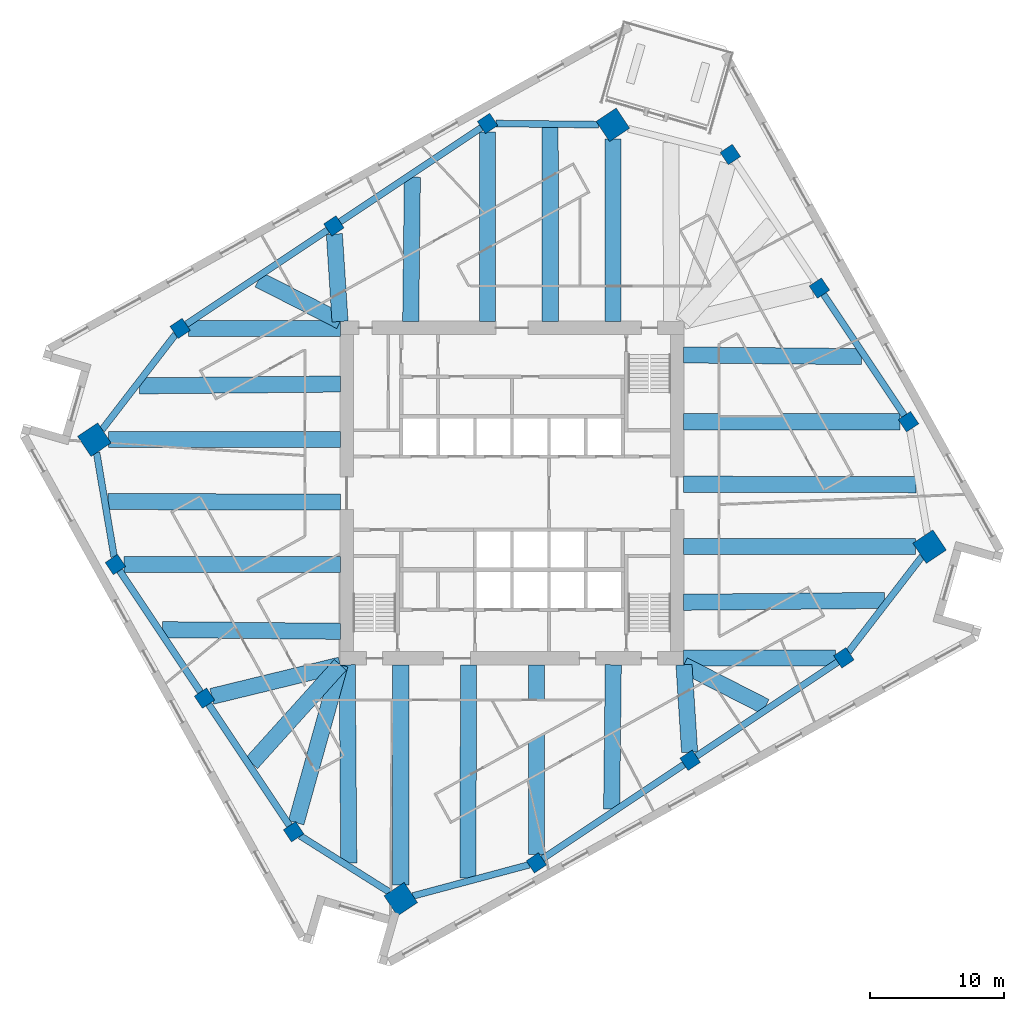
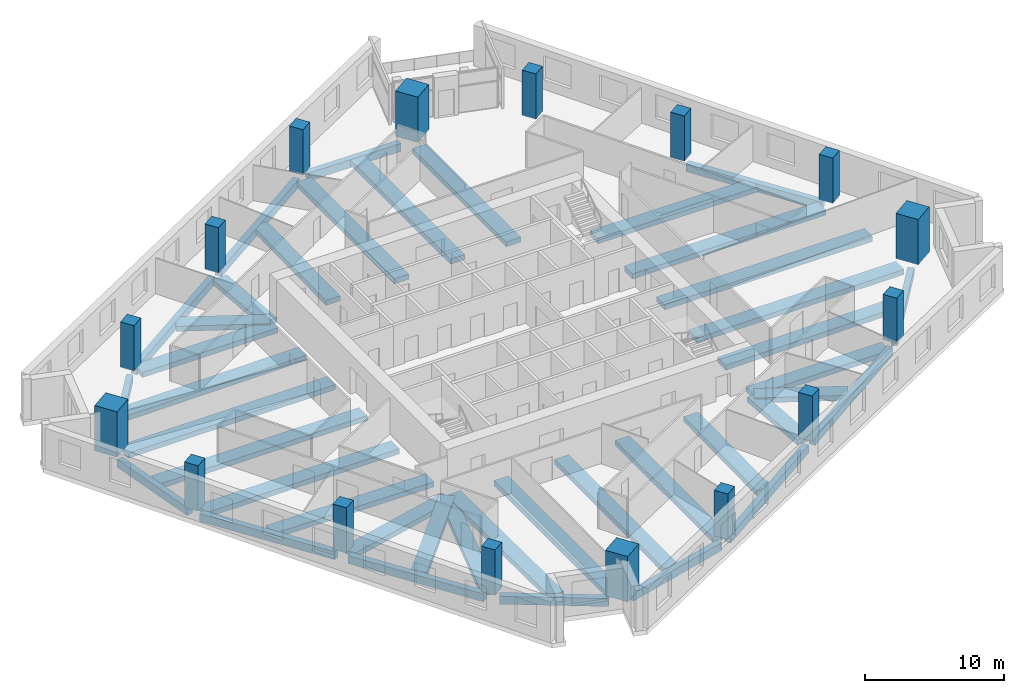
# One storey, part 1 of 12: 41 beams, 16 columns.
"""IFC4 building model written with IfcOpenShell, lengths in metres."""

from ifc_helpers import new_model, si_unit, direction, frame, origin, origin_2d, place, context, subcontext, project, spatial, rectangle, extrude, material, material_profile, profile_set, type_object, element, save


model = new_model("IFC4")

# Units and contexts
model_context = context("Model", 3, precision=1e-05, world=origin(), true_north=direction((0.0, 1.0)))
body_context = subcontext(model_context, "Body", "Model", "MODEL_VIEW")
ifc_project = project(units=[si_unit("LENGTHUNIT", "METRE"), si_unit("AREAUNIT", "SQUARE_METRE"), si_unit("VOLUMEUNIT", "CUBIC_METRE"), si_unit("PLANEANGLEUNIT", "RADIAN"), si_unit("MASSUNIT", "GRAM", prefix="KILO")], contexts=[model_context])

# Site, building, storey
site_placement = place(None, origin())
site = spatial("IfcSite", under=ifc_project, at=site_placement, CompositionType="ELEMENT")
building_placement = place(site_placement, origin())
building = spatial("IfcBuilding", under=site, at=building_placement, Name="Dilmun Exchange Tower", CompositionType="ELEMENT")
storey_placement = place(building_placement, frame((0.0, 0.0, 143.699951171875)))
storey = spatial("IfcBuildingStorey", under=building, at=storey_placement, Name="L33", CompositionType="ELEMENT", Elevation=143.699951171875)

# Columns
ifc_material_1 = material(Name="Concrete C60/75", Category="concrete")
ifc_material_profile_1 = material_profile(ifc_material_1, rectangle(XDim=1.800048828125, YDim=1.800048828125, at=origin_2d()), Name="1800 x 1800")
ifc_profile_set_1 = profile_set([ifc_material_profile_1], Name="Concrete C60/75")
column_type_1 = type_object("IfcColumnType", Name="RC mega column 1800 x 1800 C60/75", PredefinedType="COLUMN", material=ifc_profile_set_1)
for number, where, z_axis, x_axis, name in (
    (1, (7.506103515625, 27.409912109375, 0.0), (0.0, 0.0, 1.0), (0.832028680356, 0.55473261583, 0.0), "Mega column M1"),
    (2, (-31.0791015625, 3.98193359375, 0.0), (0.0, 0.0, 1.0), (0.832028680356, 0.55473261583, 0.0), "Mega column M2"),
    (3, (-8.27587890625, -30.220947265625, 0.0), (0.0, 0.0, 1.0), (0.832028680356, 0.55473261583, 0.0), "Mega column M3"),
    (4, (31.0791015625, -3.98193359375, 0.0), (0.0, 0.0, 1.0), (0.832028680356, 0.55473261583, 0.0), "Mega column M4"),
):
    element("IfcColumn", number, at=place(storey_placement, frame(where, z_axis=z_axis, x_axis=x_axis)), inside=storey, type_object=column_type_1, Name=name, PredefinedType="COLUMN", context=body_context, shape_type="SweptSolid", body=[
        extrude(rectangle(XDim=1.800048828125, YDim=1.800048828125, at=origin_2d()), origin(), (0.0, 0.0, 1.0), 4.0),
    ])
ifc_material_profile_2 = material_profile(ifc_material_1, rectangle(XDim=1.10009765625, YDim=1.10009765625, at=origin_2d()), Name="1100 x 1100")
ifc_profile_set_2 = profile_set([ifc_material_profile_2], Name="Concrete C60/75")
column_type_2 = type_object("IfcColumnType", Name="RC ring column 1100 x 1100 C60/75", PredefinedType="COLUMN", material=ifc_profile_set_2)
for number, where, z_axis, x_axis, name in (
    (5, (-1.818115234375, 27.512939453125, 0.0), (0.0, 0.0, 1.0), (0.832028680356, 0.55473261583, 0.0), "Ring column R01"),
    (6, (-13.258056640625, 19.885009765625, 0.0), (0.0, 0.0, 1.0), (0.832028680356, 0.55473261583, 0.0), "Ring column R02"),
    (7, (-24.698974609375, 12.258056640625, 0.0), (0.0, 0.0, 1.0), (0.832028680356, 0.55473261583, 0.0), "Ring column R03"),
    (8, (-29.510009765625, -5.31201171875, 0.0), (0.0, 0.0, 1.0), (0.832028680356, 0.55473261583, 0.0), "Ring column R04"),
    (9, (-22.881103515625, -15.2548828125, 0.0), (0.0, 0.0, 1.0), (0.832028680356, 0.55473261583, 0.0), "Ring column R05"),
    (10, (-16.251953125, -25.197998046875, 0.0), (0.0, 0.0, 1.0), (0.832028680356, 0.55473261583, 0.0), "Ring column R06"),
    (11, (1.818115234375, -27.512939453125, 0.0), (0.0, 0.0, 1.0), (0.832028680356, 0.55473261583, 0.0), "Ring column R07"),
    (12, (13.258056640625, -19.885009765625, 0.0), (0.0, 0.0, 1.0), (0.832028680356, 0.55473261583, 0.0), "Ring column R08"),
    (13, (24.698974609375, -12.258056640625, 0.0), (0.0, 0.0, 1.0), (0.832028680356, 0.55473261583, 0.0), "Ring column R09"),
    (14, (29.510009765625, 5.31201171875, 0.0), (0.0, 0.0, 1.0), (0.832028680356, 0.55473261583, 0.0), "Ring column R10"),
    (15, (22.881103515625, 15.2548828125, 0.0), (0.0, 0.0, 1.0), (0.832028680356, 0.55473261583, 0.0), "Ring column R11"),
    (16, (16.251953125, 25.197998046875, 0.0), (0.0, 0.0, 1.0), (0.832028680356, 0.55473261583, 0.0), "Ring column R12"),
):
    element("IfcColumn", number, at=place(storey_placement, frame(where, z_axis=z_axis, x_axis=x_axis)), inside=storey, type_object=column_type_2, Name=name, PredefinedType="COLUMN", context=body_context, shape_type="SweptSolid", body=[
        extrude(rectangle(XDim=1.10009765625, YDim=1.10009765625, at=origin_2d()), origin(), (0.0, 0.0, 1.0), 4.0),
    ])

# Beams
ifc_material_2 = material(Name="Concrete C40/50", Category="concrete")
ifc_material_profile_3 = material_profile(ifc_material_2, rectangle(XDim=1.199951171875, YDim=0.449951171875, at=origin_2d()), Name="1200 x 450")
ifc_profile_set_3 = profile_set([ifc_material_profile_3], Name="Concrete C40/50")
beam_type_1 = type_object("IfcBeamType", Name="RC band beam 1200 x 450 C40/50", PredefinedType="BEAM", material=ifc_profile_set_3)
beam_1_placement = place(storey_placement, frame((7.506103515625, 26.355224609375, -0.724853515625), z_axis=(0.0, -1.0, 0.0), x_axis=(1.0, 0.0, 0.0)))
element("IfcBeam", 17, at=beam_1_placement, inside=storey, type_object=beam_type_1, Name="Band beam 1", PredefinedType="BEAM", context=body_context, shape_type="SweptSolid", body=[
    extrude(rectangle(XDim=1.199951171875, YDim=0.449951171875, at=origin_2d()), origin(), (0.0, 0.0, 1.0), 13.582275390625),
])
beam_2_placement = place(storey_placement, frame((-1.818115234375, 26.87890625, -0.724853515625), z_axis=(0.0, -1.0, 0.0), x_axis=(1.0, 0.0, 0.0)))
element("IfcBeam", 18, at=beam_2_placement, inside=storey, type_object=beam_type_1, Name="Band beam 2", PredefinedType="BEAM", context=body_context, shape_type="SweptSolid", body=[
    extrude(rectangle(XDim=1.199951171875, YDim=0.449951171875, at=origin_2d()), origin(), (0.0, 0.0, 1.0), 14.10595703125),
])
beam_3_placement = place(storey_placement, frame((-13.21875, 19.2783203125, -0.724853515625), z_axis=(0.064492965824, -0.997918161654, 0.0), x_axis=(0.997918161654, 0.064492965824, 0.0)))
element("IfcBeam", 19, at=beam_3_placement, inside=storey, type_object=beam_type_1, Name="Band beam 3", PredefinedType="BEAM", context=body_context, shape_type="SweptSolid", body=[
    extrude(rectangle(XDim=1.199951171875, YDim=0.449951171875, at=origin_2d()), origin(), (0.0, 0.0, 1.0), 6.518798828125),
])
beam_4_placement = place(storey_placement, frame((-24.06494140625, 12.258056640625, -0.724853515625), z_axis=(1.0, 0.0, 0.0), x_axis=(0.0, 1.0, 0.0)))
element("IfcBeam", 20, at=beam_4_placement, inside=storey, type_object=beam_type_1, Name="Band beam 4", PredefinedType="BEAM", context=body_context, shape_type="SweptSolid", body=[
    extrude(rectangle(XDim=1.199951171875, YDim=0.449951171875, at=origin_2d()), origin(), (0.0, 0.0, 1.0), 11.2919921875),
])
beam_5_placement = place(storey_placement, frame((-30.0244140625, 3.98193359375, -0.724853515625), z_axis=(1.0, 0.0, 0.0), x_axis=(0.0, 1.0, 0.0)))
element("IfcBeam", 21, at=beam_5_placement, inside=storey, type_object=beam_type_1, Name="Band beam 5", PredefinedType="BEAM", context=body_context, shape_type="SweptSolid", body=[
    extrude(rectangle(XDim=1.199951171875, YDim=0.449951171875, at=origin_2d()), origin(), (0.0, 0.0, 1.0), 17.25146484375),
])
beam_6_placement = place(storey_placement, frame((-28.8759765625, -5.31201171875, -0.724853515625), z_axis=(1.0, 0.0, 0.0), x_axis=(0.0, 1.0, 0.0)))
element("IfcBeam", 22, at=beam_6_placement, inside=storey, type_object=beam_type_1, Name="Band beam 6", PredefinedType="BEAM", context=body_context, shape_type="SweptSolid", body=[
    extrude(rectangle(XDim=1.199951171875, YDim=0.449951171875, at=origin_2d()), origin(), (0.0, 0.0, 1.0), 16.10302734375),
])
beam_7_placement = place(storey_placement, frame((-22.33837890625, -15.122802734375, -0.724853515625), z_axis=(0.971607999859, 0.236596480554, 0.0), x_axis=(-0.236596480554, 0.971607999859, 0.0)))
element("IfcBeam", 23, at=beam_7_placement, inside=storey, type_object=beam_type_1, Name="Band beam 7", PredefinedType="BEAM", context=body_context, shape_type="SweptSolid", body=[
    extrude(rectangle(XDim=1.199951171875, YDim=0.449951171875, at=origin_2d()), origin(), (0.0, 0.0, 1.0), 9.84423828125),
])
beam_8_placement = place(storey_placement, frame((-16.064453125, -24.524658203125, -0.724853515625), z_axis=(0.268225004284, 0.963356292904, 0.0), x_axis=(-0.963356292904, 0.268225004284, 0.0)))
element("IfcBeam", 24, at=beam_8_placement, inside=storey, type_object=beam_type_1, Name="Band beam 8", PredefinedType="BEAM", context=body_context, shape_type="SweptSolid", body=[
    extrude(rectangle(XDim=1.199951171875, YDim=0.449951171875, at=origin_2d()), origin(), (0.0, 0.0, 1.0), 12.19775390625),
])
beam_9_placement = place(storey_placement, frame((-8.27587890625, -29.166259765625, -0.724853515625), z_axis=(0.0, 1.0, 0.0), x_axis=(-1.0, 0.0, 0.0)))
element("IfcBeam", 25, at=beam_9_placement, inside=storey, type_object=beam_type_1, Name="Band beam 9", PredefinedType="BEAM", context=body_context, shape_type="SweptSolid", body=[
    extrude(rectangle(XDim=1.199951171875, YDim=0.449951171875, at=origin_2d()), origin(), (0.0, 0.0, 1.0), 16.393310546875),
])
beam_10_placement = place(storey_placement, frame((1.818115234375, -26.87890625, -0.724853515625), z_axis=(0.0, 1.0, 0.0), x_axis=(-1.0, 0.0, 0.0)))
element("IfcBeam", 26, at=beam_10_placement, inside=storey, type_object=beam_type_1, Name="Band beam 10", PredefinedType="BEAM", context=body_context, shape_type="SweptSolid", body=[
    extrude(rectangle(XDim=1.199951171875, YDim=0.449951171875, at=origin_2d()), origin(), (0.0, 0.0, 1.0), 14.10595703125),
])
beam_11_placement = place(storey_placement, frame((13.21875, -19.2783203125, -0.724853515625), z_axis=(-0.064492965824, 0.997918161654, 0.0), x_axis=(-0.997918161654, -0.064492965824, 0.0)))
element("IfcBeam", 27, at=beam_11_placement, inside=storey, type_object=beam_type_1, Name="Band beam 11", PredefinedType="BEAM", context=body_context, shape_type="SweptSolid", body=[
    extrude(rectangle(XDim=1.199951171875, YDim=0.449951171875, at=origin_2d()), origin(), (0.0, 0.0, 1.0), 6.518798828125),
])
beam_12_placement = place(storey_placement, frame((24.06494140625, -12.258056640625, -0.724853515625), z_axis=(-1.0, 0.0, 0.0), x_axis=(0.0, -1.0, 0.0)))
element("IfcBeam", 28, at=beam_12_placement, inside=storey, type_object=beam_type_1, Name="Band beam 12", PredefinedType="BEAM", context=body_context, shape_type="SweptSolid", body=[
    extrude(rectangle(XDim=1.199951171875, YDim=0.449951171875, at=origin_2d()), origin(), (0.0, 0.0, 1.0), 11.2919921875),
])
beam_13_placement = place(storey_placement, frame((30.0244140625, -3.98193359375, -0.724853515625), z_axis=(-1.0, 0.0, 0.0), x_axis=(0.0, -1.0, 0.0)))
element("IfcBeam", 29, at=beam_13_placement, inside=storey, type_object=beam_type_1, Name="Band beam 13", PredefinedType="BEAM", context=body_context, shape_type="SweptSolid", body=[
    extrude(rectangle(XDim=1.199951171875, YDim=0.449951171875, at=origin_2d()), origin(), (0.0, 0.0, 1.0), 17.25146484375),
])
beam_14_placement = place(storey_placement, frame((28.8759765625, 5.31201171875, -0.724853515625), z_axis=(-1.0, 0.0, 0.0), x_axis=(0.0, -1.0, 0.0)))
element("IfcBeam", 30, at=beam_14_placement, inside=storey, type_object=beam_type_1, Name="Band beam 14", PredefinedType="BEAM", context=body_context, shape_type="SweptSolid", body=[
    extrude(rectangle(XDim=1.199951171875, YDim=0.449951171875, at=origin_2d()), origin(), (0.0, 0.0, 1.0), 16.10302734375),
])
beam_15_placement = place(storey_placement, frame((2.841552734375, 27.238525390625, -0.625), z_axis=(0.00016877352, -0.999999985758, 0.0), x_axis=(0.999999985758, 0.00016877352, 0.0)))
element("IfcBeam", 31, at=beam_15_placement, inside=storey, type_object=beam_type_1, Name="Band beam 17", PredefinedType="BEAM", context=body_context, shape_type="SweptSolid", body=[
    extrude(rectangle(XDim=1.199951171875, YDim=0.449951171875, at=origin_2d()), origin(), (0.0, 0.0, 1.0), 14.465576171875),
])
beam_16_placement = place(storey_placement, frame((-7.414306640625, 23.513427734375, -0.625), z_axis=(-0.011523795482, -0.999933598864, 0.0), x_axis=(0.999933598864, -0.011523795482, 0.0)))
element("IfcBeam", 32, at=beam_16_placement, inside=storey, type_object=beam_type_1, Name="Band beam 18", PredefinedType="BEAM", context=body_context, shape_type="SweptSolid", body=[
    extrude(rectangle(XDim=1.199951171875, YDim=0.449951171875, at=origin_2d()), origin(), (0.0, 0.0, 1.0), 10.7412109375),
])
beam_17_placement = place(storey_placement, frame((-18.854736328125, 15.885986328125, -0.625), z_axis=(0.890922045004, -0.454156261354, 0.0), x_axis=(0.454156261354, 0.890922045004, 0.0)))
element("IfcBeam", 33, at=beam_17_placement, inside=storey, type_object=beam_type_1, Name="Band beam 19", PredefinedType="BEAM", context=body_context, shape_type="SweptSolid", body=[
    extrude(rectangle(XDim=1.199951171875, YDim=0.449951171875, at=origin_2d()), origin(), (0.0, 0.0, 1.0), 6.82275390625),
])
beam_18_placement = place(storey_placement, frame((-27.71240234375, 7.98388671875, -0.625), z_axis=(0.99995842598, 0.009118459957, 0.0), x_axis=(-0.009118459957, 0.99995842598, 0.0)))
element("IfcBeam", 34, at=beam_18_placement, inside=storey, type_object=beam_type_1, Name="Band beam 20", PredefinedType="BEAM", context=body_context, shape_type="SweptSolid", body=[
    extrude(rectangle(XDim=1.199951171875, YDim=0.449951171875, at=origin_2d()), origin(), (0.0, 0.0, 1.0), 14.940185546875),
])
beam_19_placement = place(storey_placement, frame((-30.07470703125, -0.6279296875, -0.625), z_axis=(0.999997699854, -0.002144827713, 0.0), x_axis=(0.002144827713, 0.999997699854, 0.0)))
element("IfcBeam", 35, at=beam_19_placement, inside=storey, type_object=beam_type_1, Name="Band beam 21", PredefinedType="BEAM", context=body_context, shape_type="SweptSolid", body=[
    extrude(rectangle(XDim=1.199951171875, YDim=0.449951171875, at=origin_2d()), origin(), (0.0, 0.0, 1.0), 17.3017578125),
])
beam_20_placement = place(storey_placement, frame((-26.010009765625, -10.159912109375, -0.625), z_axis=(0.999956454863, -0.009332115424, 0.0), x_axis=(0.009332115424, 0.999956454863, 0.0)))
element("IfcBeam", 36, at=beam_20_placement, inside=storey, type_object=beam_type_1, Name="Band beam 22", PredefinedType="BEAM", context=body_context, shape_type="SweptSolid", body=[
    extrude(rectangle(XDim=1.199951171875, YDim=0.449951171875, at=origin_2d()), origin(), (0.0, 0.0, 1.0), 13.237548828125),
])
beam_21_placement = place(storey_placement, frame((-19.381103515625, -20.102783203125, -0.625), z_axis=(0.669462647611, 0.742845719819, 0.0), x_axis=(-0.742845719819, 0.669462647611, 0.0)))
element("IfcBeam", 37, at=beam_21_placement, inside=storey, type_object=beam_type_1, Name="Band beam 23", PredefinedType="BEAM", context=body_context, shape_type="SweptSolid", body=[
    extrude(rectangle(XDim=1.199951171875, YDim=0.449951171875, at=origin_2d()), origin(), (0.0, 0.0, 1.0), 9.857666015625),
])
beam_22_placement = place(storey_placement, frame((-12.145263671875, -27.520751953125, -0.625), z_axis=(-0.008045164826, 0.999967637138, 0.0), x_axis=(-0.999967637138, -0.008045164826, 0.0)))
element("IfcBeam", 38, at=beam_22_placement, inside=storey, type_object=beam_type_1, Name="Band beam 24", PredefinedType="BEAM", context=body_context, shape_type="SweptSolid", body=[
    extrude(rectangle(XDim=1.199951171875, YDim=0.449951171875, at=origin_2d()), origin(), (0.0, 0.0, 1.0), 14.748291015625),
])
beam_23_placement = place(storey_placement, frame((-3.286865234375, -28.651611328125, -0.625), z_axis=(0.003643943273, 0.999993360817, 0.0), x_axis=(-0.999993360817, 0.003643943273, 0.0)))
element("IfcBeam", 39, at=beam_23_placement, inside=storey, type_object=beam_type_1, Name="Band beam 25", PredefinedType="BEAM", context=body_context, shape_type="SweptSolid", body=[
    extrude(rectangle(XDim=1.199951171875, YDim=0.449951171875, at=origin_2d()), origin(), (0.0, 0.0, 1.0), 15.878662109375),
])
beam_24_placement = place(storey_placement, frame((7.414306640625, -23.513427734375, -0.625), z_axis=(0.011523795482, 0.999933598864, 0.0), x_axis=(-0.999933598864, 0.011523795482, 0.0)))
element("IfcBeam", 40, at=beam_24_placement, inside=storey, type_object=beam_type_1, Name="Band beam 26", PredefinedType="BEAM", context=body_context, shape_type="SweptSolid", body=[
    extrude(rectangle(XDim=1.199951171875, YDim=0.449951171875, at=origin_2d()), origin(), (0.0, 0.0, 1.0), 10.7412109375),
])
beam_25_placement = place(storey_placement, frame((18.854736328125, -15.885986328125, -0.625), z_axis=(-0.890922045004, 0.454156261354, 0.0), x_axis=(-0.454156261354, -0.890922045004, 0.0)))
element("IfcBeam", 41, at=beam_25_placement, inside=storey, type_object=beam_type_1, Name="Band beam 27", PredefinedType="BEAM", context=body_context, shape_type="SweptSolid", body=[
    extrude(rectangle(XDim=1.199951171875, YDim=0.449951171875, at=origin_2d()), origin(), (0.0, 0.0, 1.0), 6.82275390625),
])
beam_26_placement = place(storey_placement, frame((27.71240234375, -7.98388671875, -0.625), z_axis=(-0.99995842598, -0.009118459957, 0.0), x_axis=(0.009118459957, -0.99995842598, 0.0)))
element("IfcBeam", 42, at=beam_26_placement, inside=storey, type_object=beam_type_1, Name="Band beam 28", PredefinedType="BEAM", context=body_context, shape_type="SweptSolid", body=[
    extrude(rectangle(XDim=1.199951171875, YDim=0.449951171875, at=origin_2d()), origin(), (0.0, 0.0, 1.0), 14.940185546875),
])
beam_27_placement = place(storey_placement, frame((30.07470703125, 0.6279296875, -0.625), z_axis=(-0.999997699854, 0.002144827713, 0.0), x_axis=(-0.002144827713, -0.999997699854, 0.0)))
element("IfcBeam", 43, at=beam_27_placement, inside=storey, type_object=beam_type_1, Name="Band beam 29", PredefinedType="BEAM", context=body_context, shape_type="SweptSolid", body=[
    extrude(rectangle(XDim=1.199951171875, YDim=0.449951171875, at=origin_2d()), origin(), (0.0, 0.0, 1.0), 17.3017578125),
])
beam_28_placement = place(storey_placement, frame((26.010009765625, 10.159912109375, -0.625), z_axis=(-0.999956454863, 0.009332115424, 0.0), x_axis=(-0.009332115424, -0.999956454863, 0.0)))
element("IfcBeam", 44, at=beam_28_placement, inside=storey, type_object=beam_type_1, Name="Band beam 30", PredefinedType="BEAM", context=body_context, shape_type="SweptSolid", body=[
    extrude(rectangle(XDim=1.199951171875, YDim=0.449951171875, at=origin_2d()), origin(), (0.0, 0.0, 1.0), 13.237548828125),
])
ifc_material_profile_4 = material_profile(ifc_material_2, rectangle(XDim=0.5, YDim=0.699951171875, at=origin_2d()), Name="500 x 700")
ifc_profile_set_4 = profile_set([ifc_material_profile_4], Name="Concrete C40/50")
beam_type_2 = type_object("IfcBeamType", Name="RC ring beam 500 x 700 C40/50", PredefinedType="SPANDREL", material=ifc_profile_set_4)
beam_29_placement = place(storey_placement, frame((6.443359375, 27.421630859375, -0.75), z_axis=(-0.999938955437, 0.011049226175, 0.0), x_axis=(-0.011049226175, -0.999938955437, 0.0)))
element("IfcBeam", 45, at=beam_29_placement, inside=storey, type_object=beam_type_2, Name="Ring beam 1", PredefinedType="SPANDREL", context=body_context, shape_type="SweptSolid", body=[
    extrude(rectangle(XDim=0.5, YDim=0.699951171875, at=origin_2d()), origin(), (0.0, 0.0, 1.0), 7.623046875),
])
beam_30_placement = place(storey_placement, frame((-2.253173828125, 27.222900390625, -0.75), z_axis=(-0.832002986666, -0.554771151177, 0.0), x_axis=(0.554771151177, -0.832002986666, 0.0)))
element("IfcBeam", 46, at=beam_30_placement, inside=storey, type_object=beam_type_2, Name="Ring beam 2", PredefinedType="SPANDREL", context=body_context, shape_type="SweptSolid", body=[
    extrude(rectangle(XDim=0.5, YDim=0.699951171875, at=origin_2d()), origin(), (0.0, 0.0, 1.0), 12.7041015625),
])
beam_31_placement = place(storey_placement, frame((-13.693115234375, 19.594970703125, -0.75), z_axis=(-0.832062120058, -0.554682457235, 0.0), x_axis=(0.554682457235, -0.832062120058, 0.0)))
element("IfcBeam", 47, at=beam_31_placement, inside=storey, type_object=beam_type_2, Name="Ring beam 3", PredefinedType="SPANDREL", context=body_context, shape_type="SweptSolid", body=[
    extrude(rectangle(XDim=0.5, YDim=0.699951171875, at=origin_2d()), origin(), (0.0, 0.0, 1.0), 12.704345703125),
])
beam_32_placement = place(storey_placement, frame((-25.037109375, 11.819580078125, -0.75), z_axis=(-0.610521727247, -0.791999507929, 0.0), x_axis=(0.791999507929, -0.610521727247, 0.0)))
element("IfcBeam", 48, at=beam_32_placement, inside=storey, type_object=beam_type_2, Name="Ring beam 4", PredefinedType="SPANDREL", context=body_context, shape_type="SweptSolid", body=[
    extrude(rectangle(XDim=0.5, YDim=0.699951171875, at=origin_2d()), origin(), (0.0, 0.0, 1.0), 8.97314453125),
])
beam_33_placement = place(storey_placement, frame((-30.91943359375, 3.036376953125, -0.75), z_axis=(0.166485785433, -0.986043854628, 0.0), x_axis=(0.986043854628, 0.166485785433, 0.0)))
element("IfcBeam", 49, at=beam_33_placement, inside=storey, type_object=beam_type_2, Name="Ring beam 5", PredefinedType="SPANDREL", context=body_context, shape_type="SweptSolid", body=[
    extrude(rectangle(XDim=0.5, YDim=0.699951171875, at=origin_2d()), origin(), (0.0, 0.0, 1.0), 7.890869140625),
])
for number, where, z_axis, x_axis, name in (
    (50, (-29.219970703125, -5.747314453125, -0.75), (0.554731197186, -0.832029626196, 0.0), (0.832029626196, 0.554731197186, 0.0), "Ring beam 6"),
    (51, (-22.5908203125, -15.690185546875, -0.75), (0.554731197186, -0.832029626196, 0.0), (0.832029626196, 0.554731197186, 0.0), "Ring beam 7"),
):
    element("IfcBeam", number, at=place(storey_placement, frame(where, z_axis=z_axis, x_axis=x_axis)), inside=storey, type_object=beam_type_2, Name=name, PredefinedType="SPANDREL", context=body_context, shape_type="SweptSolid", body=[
        extrude(rectangle(XDim=0.5, YDim=0.699951171875, at=origin_2d()), origin(), (0.0, 0.0, 1.0), 10.904052734375),
    ])
beam_34_placement = place(storey_placement, frame((-15.764892578125, -25.504638671875, -0.75), z_axis=(0.846177038183, -0.532901885953, 0.0), x_axis=(0.532901885953, 0.846177038183, 0.0)))
element("IfcBeam", 52, at=beam_34_placement, inside=storey, type_object=beam_type_2, Name="Ring beam 8", PredefinedType="SPANDREL", context=body_context, shape_type="SweptSolid", body=[
    extrude(rectangle(XDim=0.5, YDim=0.699951171875, at=origin_2d()), origin(), (0.0, 0.0, 1.0), 7.891357421875),
])
beam_35_placement = place(storey_placement, frame((-7.384521484375, -29.981689453125, -0.75), z_axis=(0.965850974034, 0.259098236113, 0.0), x_axis=(-0.259098236113, 0.965850974034, 0.0)))
element("IfcBeam", 53, at=beam_35_placement, inside=storey, type_object=beam_type_2, Name="Ring beam 9", PredefinedType="SPANDREL", context=body_context, shape_type="SweptSolid", body=[
    extrude(rectangle(XDim=0.5, YDim=0.699951171875, at=origin_2d()), origin(), (0.0, 0.0, 1.0), 8.97412109375),
])
beam_36_placement = place(storey_placement, frame((2.253173828125, -27.222900390625, -0.75), z_axis=(0.832002986666, 0.554771151177, 0.0), x_axis=(-0.554771151177, 0.832002986666, 0.0)))
element("IfcBeam", 54, at=beam_36_placement, inside=storey, type_object=beam_type_2, Name="Ring beam 10", PredefinedType="SPANDREL", context=body_context, shape_type="SweptSolid", body=[
    extrude(rectangle(XDim=0.5, YDim=0.699951171875, at=origin_2d()), origin(), (0.0, 0.0, 1.0), 12.7041015625),
])
beam_37_placement = place(storey_placement, frame((13.693115234375, -19.594970703125, -0.75), z_axis=(0.832062120058, 0.554682457235, 0.0), x_axis=(-0.554682457235, 0.832062120058, 0.0)))
element("IfcBeam", 55, at=beam_37_placement, inside=storey, type_object=beam_type_2, Name="Ring beam 11", PredefinedType="SPANDREL", context=body_context, shape_type="SweptSolid", body=[
    extrude(rectangle(XDim=0.5, YDim=0.699951171875, at=origin_2d()), origin(), (0.0, 0.0, 1.0), 12.704345703125),
])
beam_38_placement = place(storey_placement, frame((25.037109375, -11.819580078125, -0.75), z_axis=(0.610521727247, 0.791999507929, 0.0), x_axis=(-0.791999507929, 0.610521727247, 0.0)))
element("IfcBeam", 56, at=beam_38_placement, inside=storey, type_object=beam_type_2, Name="Ring beam 12", PredefinedType="SPANDREL", context=body_context, shape_type="SweptSolid", body=[
    extrude(rectangle(XDim=0.5, YDim=0.699951171875, at=origin_2d()), origin(), (0.0, 0.0, 1.0), 8.97314453125),
])
beam_39_placement = place(storey_placement, frame((29.219970703125, 5.747314453125, -0.75), z_axis=(-0.554731197186, 0.832029626196, 0.0), x_axis=(-0.832029626196, -0.554731197186, 0.0)))
element("IfcBeam", 57, at=beam_39_placement, inside=storey, type_object=beam_type_2, Name="Ring beam 14", PredefinedType="SPANDREL", context=body_context, shape_type="SweptSolid", body=[
    extrude(rectangle(XDim=0.5, YDim=0.699951171875, at=origin_2d()), origin(), (0.0, 0.0, 1.0), 10.904052734375),
])

save(model, "model.ifc")
